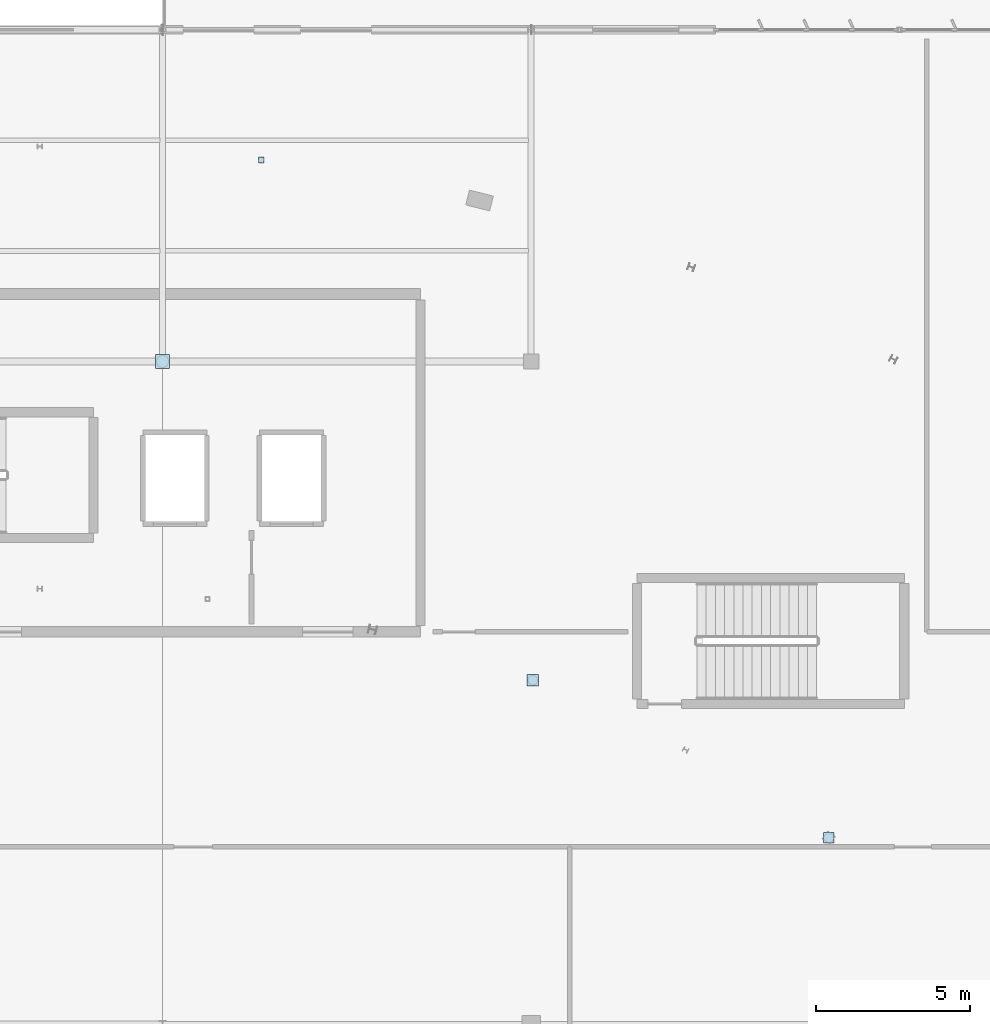
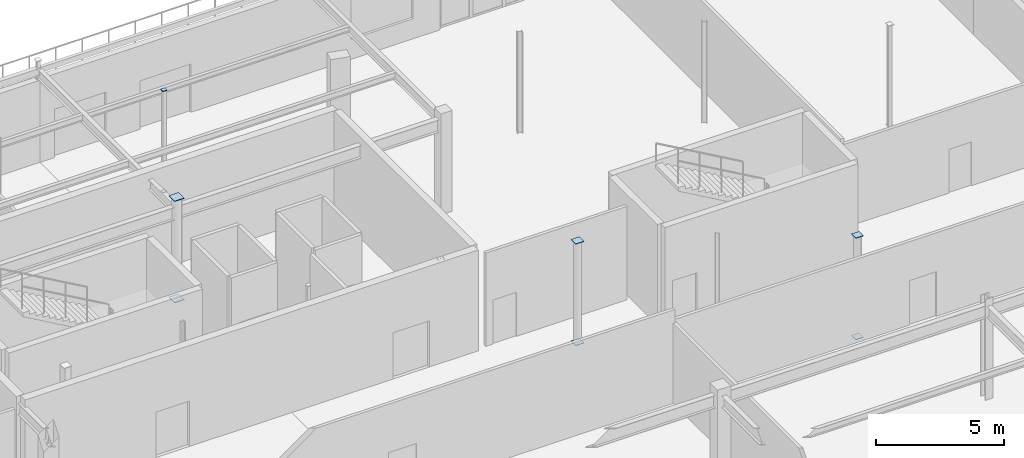
# One storey, part 144 of 199: 8 plates.
"""IFC4 building model written with IfcOpenShell, lengths in metres."""

from ifc_helpers import new_model, si_unit, direction, frame, origin, origin_2d, place, context, subcontext, project, spatial, rectangle, extrude, material, layer, layer_set, type_object, element, save


model = new_model("IFC4")

# Units and contexts
model_context = context("Model", 3, precision=1e-05, world=origin(), true_north=direction((0.0, 1.0)))
body_context = subcontext(model_context, "Body", "Model", "MODEL_VIEW")
ifc_project = project(units=[si_unit("LENGTHUNIT", "METRE"), si_unit("AREAUNIT", "SQUARE_METRE"), si_unit("VOLUMEUNIT", "CUBIC_METRE"), si_unit("PLANEANGLEUNIT", "RADIAN"), si_unit("MASSUNIT", "GRAM", prefix="KILO")], contexts=[model_context])

# Site, building, storey
site_placement = place(None, origin())
site = spatial("IfcSite", under=ifc_project, at=site_placement, CompositionType="ELEMENT")
building_placement = place(site_placement, origin())
building = spatial("IfcBuilding", under=site, at=building_placement, Name="Tarnwether General Hospital", CompositionType="ELEMENT")
storey_placement = place(building_placement, origin())
storey = spatial("IfcBuildingStorey", under=building, at=storey_placement, Name="L00", CompositionType="ELEMENT", Elevation=0.0)

# Plates
ifc_material = material(Name="Steel Grade 350 (350 MPa)", Category="steel")
ifc_layer = layer(ifc_material, 0.02490234375)
ifc_layer_set = layer_set([ifc_layer], Name="Steel Grade 350 (350 MPa)")
plate_type = type_object("IfcPlateType", Name="PT-GUS2", PredefinedType="USERDEFINED", material=ifc_layer_set)
for number, where, z_axis, x_axis, name in (
    (1, (96.0, 115.199951171875, -0.02490234375), (0.0, 0.0, 1.0), (1.0, 0.0, 0.0), "Hollow Section Welded End Cap Plate 0175"),
    (2, (96.0, 115.199951171875, 4.800048828125), (0.0, 0.0, 1.0), (1.0, 0.0, 0.0), "Hollow Section Welded End Cap Plate 0176"),
):
    element("IfcPlate", number, at=place(storey_placement, frame(where, z_axis=z_axis, x_axis=x_axis)), inside=storey, type_object=plate_type, Name=name, ObjectType="GUSSET", PredefinedType="USERDEFINED", context=body_context, shape_type="SweptSolid", body=[
        extrude(rectangle(XDim=0.446044921875, YDim=0.446044921875, at=origin_2d()), origin(), (0.0, 0.0, 1.0), 0.02490234375),
    ])
for number, where, z_axis, x_axis, name in (
    (3, (99.215087890625, 121.759033203125, -0.02490234375), (0.0, 0.0, 1.0), (1.0, 0.0, 0.0), "Hollow Section Welded End Cap Plate 0537"),
    (4, (99.215087890625, 121.759033203125, 4.800048828125), (0.0, 0.0, 1.0), (1.0, 0.0, 0.0), "Hollow Section Welded End Cap Plate 0538"),
):
    element("IfcPlate", number, at=place(storey_placement, frame(where, z_axis=z_axis, x_axis=x_axis)), inside=storey, type_object=plate_type, Name=name, ObjectType="GUSSET", PredefinedType="USERDEFINED", context=body_context, shape_type="SweptSolid", body=[
        extrude(rectangle(XDim=0.18994140625, YDim=0.18994140625, at=origin_2d()), origin(), (0.0, 0.0, 1.0), 0.02490234375),
    ])
for number, where, z_axis, x_axis, name in (
    (5, (108.054931640625, 104.823974609375, -0.02490234375), (0.0, 0.0, 1.0), (1.0, 0.0, 0.0), "Hollow Section Welded End Cap Plate 0571"),
    (6, (108.054931640625, 104.823974609375, 4.800048828125), (0.0, 0.0, 1.0), (1.0, 0.0, 0.0), "Hollow Section Welded End Cap Plate 0572"),
):
    element("IfcPlate", number, at=place(storey_placement, frame(where, z_axis=z_axis, x_axis=x_axis)), inside=storey, type_object=plate_type, Name=name, ObjectType="GUSSET", PredefinedType="USERDEFINED", context=body_context, shape_type="SweptSolid", body=[
        extrude(rectangle(XDim=0.364013671875, YDim=0.364013671875, at=origin_2d()), origin(), (0.0, 0.0, 1.0), 0.02490234375),
    ])
for number, where, z_axis, x_axis, name in (
    (7, (117.696044921875, 99.697998046875, -0.02490234375), (0.0, 0.0, 1.0), (1.0, 0.0, 0.0), "Hollow Section Welded End Cap Plate 0607"),
    (8, (117.696044921875, 99.697998046875, 4.800048828125), (0.0, 0.0, 1.0), (1.0, 0.0, 0.0), "Hollow Section Welded End Cap Plate 0608"),
):
    element("IfcPlate", number, at=place(storey_placement, frame(where, z_axis=z_axis, x_axis=x_axis)), inside=storey, type_object=plate_type, Name=name, ObjectType="GUSSET", PredefinedType="USERDEFINED", context=body_context, shape_type="SweptSolid", body=[
        extrude(rectangle(XDim=0.340087890625, YDim=0.340087890625, at=origin_2d()), origin(), (0.0, 0.0, 1.0), 0.02490234375),
    ])

save(model, "model.ifc")
